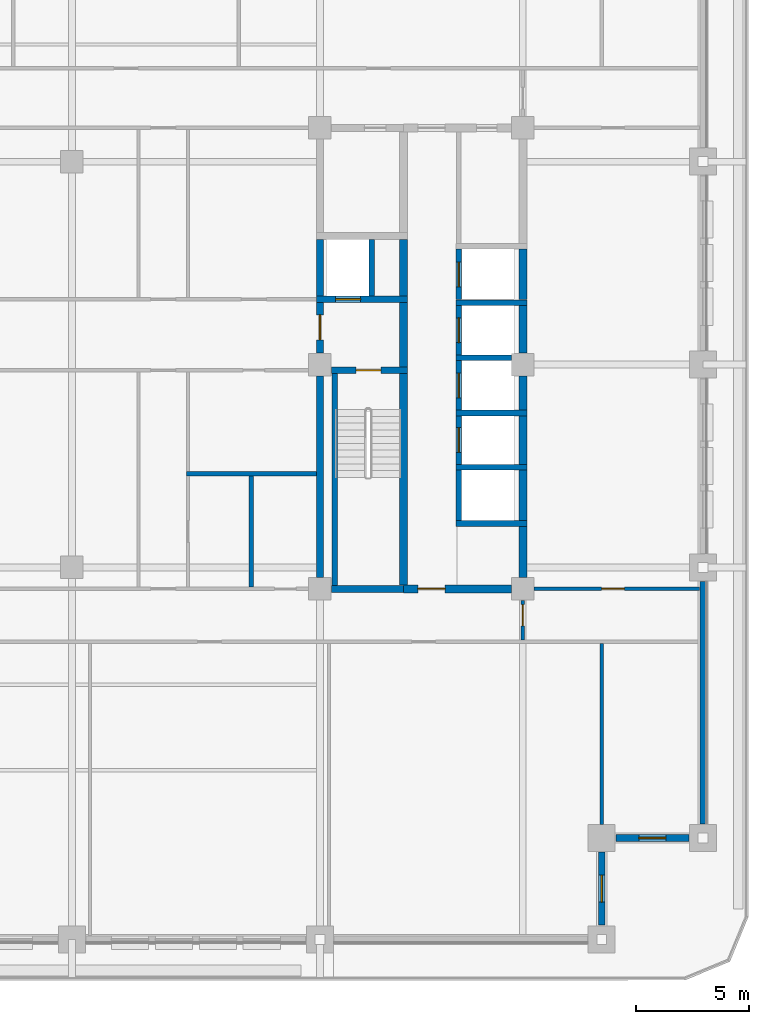
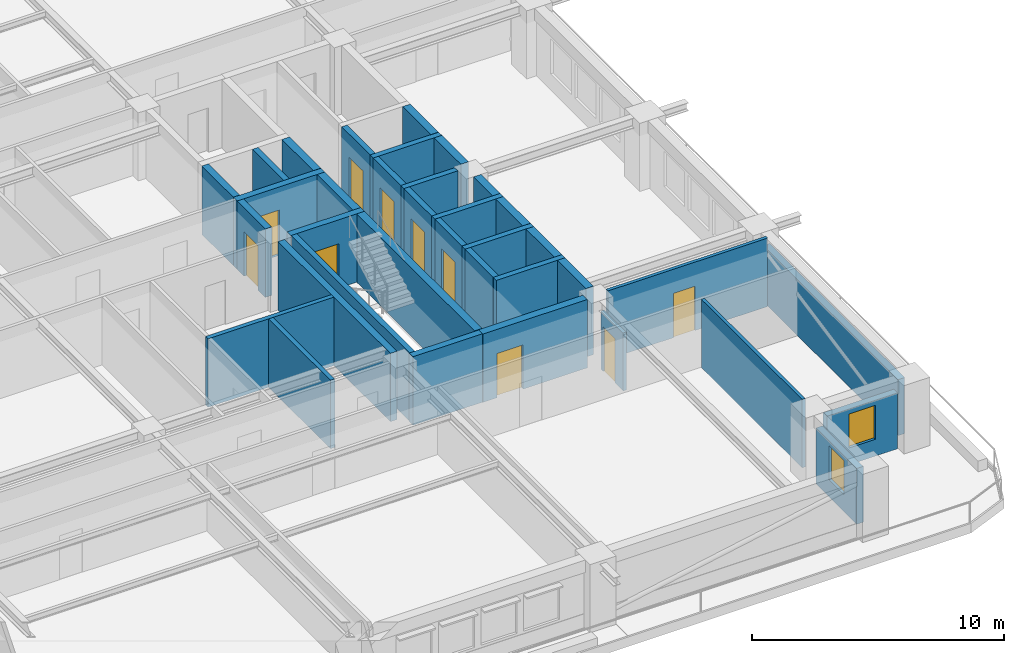
# One storey, part 4 of 13: 36 walls, 10 doors, 2 windows, 12 openings.
"""IFC4 building model written with IfcOpenShell, lengths in metres."""

from ifc_helpers import new_model, si_unit, direction, frame, frame_2d, origin, place, context, subcontext, project, spatial, rectangle, extrude, material, layer, layer_set, type_object, element, fill, save


model = new_model("IFC4")

# Units and contexts
model_context = context("Model", 3, precision=1e-05, world=origin(), true_north=direction((0.0, 1.0)))
body_context = subcontext(model_context, "Body", "Model", "MODEL_VIEW")
ifc_project = project(units=[si_unit("LENGTHUNIT", "METRE"), si_unit("AREAUNIT", "SQUARE_METRE"), si_unit("VOLUMEUNIT", "CUBIC_METRE"), si_unit("PLANEANGLEUNIT", "RADIAN"), si_unit("MASSUNIT", "GRAM", prefix="KILO")], contexts=[model_context])

# Site, building, storey
site_placement = place(None, origin())
site = spatial("IfcSite", under=ifc_project, at=site_placement, CompositionType="ELEMENT")
building_placement = place(site_placement, origin())
building = spatial("IfcBuilding", under=site, at=building_placement, Name="Zulmaris Gate Convention Tower", CompositionType="ELEMENT")
storey_placement = place(building_placement, frame((0.0, 0.0, 105.639892578125)))
storey = spatial("IfcBuildingStorey", under=building, at=storey_placement, Name="L26", CompositionType="ELEMENT", Elevation=105.639892578125)

# Walls
ifc_material_1 = material(Name="Concrete C50/60", Category="concrete")
ifc_layer_1 = layer(ifc_material_1, 0.25, Name="Concrete C50/60")
ifc_layer_set_1 = layer_set([ifc_layer_1], Name="Concrete C50/60")
wall_type_1 = type_object("IfcWallType", Name="CORE-250", PredefinedType="SOLIDWALL", material=ifc_layer_set_1)
for number, where, z_axis, x_axis, name in (
    (1, (17.02490234375, -7.050048828125, 0.0), (0.0, 0.0, 1.0), (1.0, 0.0, 0.0), "WL-L26-005"),
    (2, (17.02490234375, -4.550048828125, 0.0), (0.0, 0.0, 1.0), (1.0, 0.0, 0.0), "WL-L26-006"),
    (3, (17.02490234375, -2.14990234375, 0.0), (0.0, 0.0, 1.0), (1.0, 0.0, 0.0), "WL-L26-007"),
):
    element("IfcWall", number, at=place(storey_placement, frame(where, z_axis=z_axis, x_axis=x_axis)), inside=storey, type_object=wall_type_1, Name=name, PredefinedType="SOLIDWALL", context=body_context, shape_type="SweptSolid", body=[
        extrude(rectangle(XDim=3.150146484375, YDim=0.25, at=frame_2d((1.5751953125, 0.0))), origin(), (0.0, 0.0, 1.0), 3.320068359375),
    ])
wall_1_placement = place(storey_placement, frame((17.02490234375, 0.300048828125, 0.0), z_axis=(0.0, 0.0, 1.0), x_axis=(1.0, 0.0, 0.0)))
element("IfcWall", 4, at=wall_1_placement, inside=storey, type_object=wall_type_1, Name="WL-L26-010", PredefinedType="SOLIDWALL", context=body_context, shape_type="SweptSolid", body=[
    extrude(rectangle(XDim=2.47119140625, YDim=0.25, at=frame_2d((1.235595703125, 0.0))), origin(), (0.0, 0.0, 1.0), 3.320068359375),
])
wall_2_placement = place(storey_placement, frame((17.02490234375, 2.75, 0.0), z_axis=(0.0, 0.0, 1.0), x_axis=(1.0, 0.0, 0.0)))
element("IfcWall", 5, at=wall_2_placement, inside=storey, type_object=wall_type_1, Name="WL-L26-011", PredefinedType="SOLIDWALL", context=body_context, shape_type="SweptSolid", body=[
    extrude(rectangle(XDim=3.150146484375, YDim=0.25, at=frame_2d((1.5751953125, 0.0))), origin(), (0.0, 0.0, 1.0), 3.320068359375),
])
wall_3_placement = place(storey_placement, frame((11.64990234375, -9.798095703125, 0.0), z_axis=(0.0, 0.0, 1.0), x_axis=(0.0, 1.0, 0.0)))
element("IfcWall", 6, at=wall_3_placement, inside=storey, type_object=wall_type_1, Name="WL-L26-050", PredefinedType="SOLIDWALL", context=body_context, shape_type="SweptSolid", body=[
    extrude(rectangle(XDim=9.39599609375, YDim=0.25, at=frame_2d((4.697998046875, 0.0))), origin(), (0.0, 0.0, 1.0), 3.320068359375),
])
wall_4_placement = place(storey_placement, frame((13.300048828125, 3.052001953125, 0.0), z_axis=(0.0, 0.0, 1.0), x_axis=(0.0, 1.0, 0.0)))
element("IfcWall", 7, at=wall_4_placement, inside=storey, type_object=wall_type_1, Name="WL-L26-051", PredefinedType="SOLIDWALL", context=body_context, shape_type="SweptSolid", body=[
    extrude(rectangle(XDim=2.49609375, YDim=0.25, at=frame_2d((1.248046875, 0.0))), origin(), (0.0, 0.0, 1.0), 3.320068359375),
])
wall_5_placement = place(storey_placement, frame((17.14990234375, -6.923095703125, 0.0), z_axis=(0.0, 0.0, 1.0), x_axis=(0.0, 1.0, 0.0)))
element("IfcWall", 8, at=wall_5_placement, inside=storey, type_object=wall_type_1, Name="WL-L26-056", PredefinedType="SOLIDWALL", context=body_context, shape_type="SweptSolid", body=[
    extrude(rectangle(XDim=2.24609375, YDim=0.25, at=frame_2d((1.123046875, 0.0))), origin(), (0.0, 0.0, 1.0), 3.320068359375),
])

# Wall, opening, door
wall_6_placement = place(storey_placement, frame((17.14990234375, -4.423095703125, 0.0), z_axis=(0.0, 0.0, 1.0), x_axis=(0.0, 1.0, 0.0)))
wall_6 = element("IfcWall", 9, at=wall_6_placement, inside=storey, type_object=wall_type_1, Name="WL-L26-057", PredefinedType="SOLIDWALL", context=body_context, shape_type="SweptSolid", body=[
    extrude(rectangle(XDim=2.14599609375, YDim=0.25, at=frame_2d((1.072998046875, 0.0))), origin(), (0.0, 0.0, 1.0), 3.320068359375),
])
opening_1_placement = place(wall_6_placement, frame((0.52294921875, 0.0, 0.0)))
opening_1 = element("IfcOpeningElement", 10, at=opening_1_placement, cuts=wall_6, Name="Opening D-06", PredefinedType="OPENING", context=body_context, shape_type="SweptSolid", body=[
    extrude(rectangle(XDim=1.10009765625, YDim=2.199951171875, at=frame_2d((0.550048828125, 1.10009765625))), frame((0.0, 0.135009765625, 0.0), z_axis=(0.0, -1.0, 0.0), x_axis=(1.0, 0.0, 0.0)), (0.0, 0.0, 1.0), 0.27001953125),
])
ifc_material_2 = material(Name="Brushed Stainless Steel", Category="steel")
door_type_1 = type_object("IfcDoorType", Name="LD-1100", OperationType="NOTDEFINED", PredefinedType="DOOR", material=ifc_material_2)
door_1_placement = place(opening_1_placement, origin())
door_1 = element("IfcDoor", 11, at=door_1_placement, inside=storey, type_object=door_type_1, Name="L26 Lift Landing Door MP-01 11", OperationType="SLIDING_TO_RIGHT", OverallHeight=2.199951171875, OverallWidth=1.10009765625, PredefinedType="DOOR", context=body_context, shape_type="SweptSolid", body=[
    extrude(rectangle(XDim=1.10009765625, YDim=2.199951171875, at=frame_2d((0.550048828125, 1.10009765625))), frame((0.0, 0.02490234375, 0.0), z_axis=(0.0, -1.0, 0.0), x_axis=(1.0, 0.0, 0.0)), (0.0, 0.0, 1.0), 0.050048828125),
])
fill(opening_1, door_1)

wall_7_placement = place(storey_placement, frame((17.14990234375, -2.02294921875, 0.0), z_axis=(0.0, 0.0, 1.0), x_axis=(0.0, 1.0, 0.0)))
wall_7 = element("IfcWall", 12, at=wall_7_placement, inside=storey, type_object=wall_type_1, Name="WL-L26-058", PredefinedType="SOLIDWALL", context=body_context, shape_type="SweptSolid", body=[
    extrude(rectangle(XDim=2.196044921875, YDim=0.25, at=frame_2d((1.09814453125, 0.0))), origin(), (0.0, 0.0, 1.0), 3.320068359375),
])
opening_2_placement = place(wall_7_placement, frame((0.548095703125, 0.0, 0.0)))
opening_2 = element("IfcOpeningElement", 13, at=opening_2_placement, cuts=wall_7, Name="Opening D-06", PredefinedType="OPENING", context=body_context, shape_type="SweptSolid", body=[
    extrude(rectangle(XDim=1.10009765625, YDim=2.199951171875, at=frame_2d((0.550048828125, 1.10009765625))), frame((0.0, 0.135009765625, 0.0), z_axis=(0.0, -1.0, 0.0), x_axis=(1.0, 0.0, 0.0)), (0.0, 0.0, 1.0), 0.27001953125),
])
door_2_placement = place(opening_2_placement, origin())
door_2 = element("IfcDoor", 14, at=door_2_placement, inside=storey, type_object=door_type_1, Name="L26 Lift Landing Door MP-02 12", OperationType="SLIDING_TO_RIGHT", OverallHeight=2.199951171875, OverallWidth=1.10009765625, PredefinedType="DOOR", context=body_context, shape_type="SweptSolid", body=[
    extrude(rectangle(XDim=1.10009765625, YDim=2.199951171875, at=frame_2d((0.550048828125, 1.10009765625))), frame((0.0, 0.02490234375, 0.0), z_axis=(0.0, -1.0, 0.0), x_axis=(1.0, 0.0, 0.0)), (0.0, 0.0, 1.0), 0.050048828125),
])
fill(opening_2, door_2)

wall_8_placement = place(storey_placement, frame((17.14990234375, 0.427001953125, 0.0), z_axis=(0.0, 0.0, 1.0), x_axis=(0.0, 1.0, 0.0)))
wall_8 = element("IfcWall", 15, at=wall_8_placement, inside=storey, type_object=wall_type_1, Name="WL-L26-059", PredefinedType="SOLIDWALL", context=body_context, shape_type="SweptSolid", body=[
    extrude(rectangle(XDim=2.196044921875, YDim=0.25, at=frame_2d((1.09814453125, 0.0))), origin(), (0.0, 0.0, 1.0), 3.320068359375),
])
opening_3_placement = place(wall_8_placement, frame((0.548095703125, 0.0, 0.0)))
opening_3 = element("IfcOpeningElement", 16, at=opening_3_placement, cuts=wall_8, Name="Opening D-06", PredefinedType="OPENING", context=body_context, shape_type="SweptSolid", body=[
    extrude(rectangle(XDim=1.10009765625, YDim=2.199951171875, at=frame_2d((0.550048828125, 1.10009765625))), frame((0.0, 0.135009765625, 0.0), z_axis=(0.0, -1.0, 0.0), x_axis=(1.0, 0.0, 0.0)), (0.0, 0.0, 1.0), 0.27001953125),
])
door_3_placement = place(opening_3_placement, origin())
door_3 = element("IfcDoor", 17, at=door_3_placement, inside=storey, type_object=door_type_1, Name="L26 Lift Landing Door MP-03 13", OperationType="SLIDING_TO_RIGHT", OverallHeight=2.199951171875, OverallWidth=1.10009765625, PredefinedType="DOOR", context=body_context, shape_type="SweptSolid", body=[
    extrude(rectangle(XDim=1.10009765625, YDim=2.199951171875, at=frame_2d((0.550048828125, 1.10009765625))), frame((0.0, 0.02490234375, 0.0), z_axis=(0.0, -1.0, 0.0), x_axis=(1.0, 0.0, 0.0)), (0.0, 0.0, 1.0), 0.050048828125),
])
fill(opening_3, door_3)

wall_9_placement = place(storey_placement, frame((17.14990234375, 2.876953125, 0.0), z_axis=(0.0, 0.0, 1.0), x_axis=(0.0, 1.0, 0.0)))
wall_9 = element("IfcWall", 18, at=wall_9_placement, inside=storey, type_object=wall_type_1, Name="WL-L26-060", PredefinedType="SOLIDWALL", context=body_context, shape_type="SweptSolid", body=[
    extrude(rectangle(XDim=2.24609375, YDim=0.25, at=frame_2d((1.123046875, 0.0))), origin(), (0.0, 0.0, 1.0), 3.320068359375),
])
opening_4_placement = place(wall_9_placement, frame((0.572998046875, 0.0, 0.0)))
opening_4 = element("IfcOpeningElement", 19, at=opening_4_placement, cuts=wall_9, Name="Opening D-06", PredefinedType="OPENING", context=body_context, shape_type="SweptSolid", body=[
    extrude(rectangle(XDim=1.10009765625, YDim=2.199951171875, at=frame_2d((0.550048828125, 1.10009765625))), frame((0.0, 0.135009765625, 0.0), z_axis=(0.0, -1.0, 0.0), x_axis=(1.0, 0.0, 0.0)), (0.0, 0.0, 1.0), 0.27001953125),
])
door_4_placement = place(opening_4_placement, origin())
door_4 = element("IfcDoor", 20, at=door_4_placement, inside=storey, type_object=door_type_1, Name="L26 Lift Landing Door MP-04 14", OperationType="SLIDING_TO_RIGHT", OverallHeight=2.199951171875, OverallWidth=1.10009765625, PredefinedType="DOOR", context=body_context, shape_type="SweptSolid", body=[
    extrude(rectangle(XDim=1.10009765625, YDim=2.199951171875, at=frame_2d((0.550048828125, 1.10009765625))), frame((0.0, 0.02490234375, 0.0), z_axis=(0.0, -1.0, 0.0), x_axis=(1.0, 0.0, 0.0)), (0.0, 0.0, 1.0), 0.050048828125),
])
fill(opening_4, door_4)

# Wall
ifc_layer_2 = layer(ifc_material_1, 0.300048828125, Name="Concrete C50/60")
ifc_layer_set_2 = layer_set([ifc_layer_2], Name="Concrete C50/60")
wall_type_2 = type_object("IfcWallType", Name="CORE-300", PredefinedType="SHEAR", material=ifc_layer_set_2)
wall_10_placement = place(storey_placement, frame((11.50390625, -9.949951171875, 0.0), z_axis=(0.0, 0.0, 1.0), x_axis=(1.0, 0.0, 0.0)))
element("IfcWall", 21, at=wall_10_placement, inside=storey, type_object=wall_type_2, Name="WL-L26-003", PredefinedType="SHEAR", context=body_context, shape_type="SweptSolid", body=[
    extrude(rectangle(XDim=3.196044921875, YDim=0.300048828125, at=frame_2d((1.59814453125, 0.0))), origin(), (0.0, 0.0, 1.0), 3.320068359375),
])

# Wall, opening, door
wall_11_placement = place(storey_placement, frame((11.50390625, -0.25, 0.0), z_axis=(0.0, 0.0, 1.0), x_axis=(1.0, 0.0, 0.0)))
wall_11 = element("IfcWall", 22, at=wall_11_placement, inside=storey, type_object=wall_type_2, Name="WL-L26-009", PredefinedType="SHEAR", context=body_context, shape_type="SweptSolid", body=[
    extrude(rectangle(XDim=3.37109375, YDim=0.300048828125, at=frame_2d((1.685546875, 0.0))), origin(), (0.0, 0.0, 1.0), 3.320068359375),
])
opening_5_placement = place(wall_11_placement, frame((1.095947265625, 0.0, 0.0)))
opening_5 = element("IfcOpeningElement", 23, at=opening_5_placement, cuts=wall_11, Name="Opening D-08", PredefinedType="OPENING", context=body_context, shape_type="SweptSolid", body=[
    extrude(rectangle(XDim=1.10009765625, YDim=2.14990234375, at=frame_2d((0.550048828125, 1.074951171875))), frame((0.0, 0.16015625, 0.0), z_axis=(0.0, -1.0, 0.0), x_axis=(1.0, 0.0, 0.0)), (0.0, 0.0, 1.0), 0.320068359375),
])
ifc_material_3 = material(Name="Fire-Rated Steel", Category="steel")
door_type_2 = type_object("IfcDoorType", Name="DR-1100-FD", OperationType="NOTDEFINED", PredefinedType="DOOR", material=ifc_material_3)
door_5_placement = place(opening_5_placement, origin())
door_5 = element("IfcDoor", 24, at=door_5_placement, inside=storey, type_object=door_type_2, Name="L26 Exit Stair ST-2 Door 04", OperationType="SINGLE_SWING_RIGHT", OverallHeight=2.14990234375, OverallWidth=1.10009765625, PredefinedType="DOOR", context=body_context, shape_type="SweptSolid", body=[
    extrude(rectangle(XDim=1.10009765625, YDim=2.14990234375, at=frame_2d((0.550048828125, 1.074951171875))), frame((0.0, 0.02490234375, 0.0), z_axis=(0.0, -1.0, 0.0), x_axis=(1.0, 0.0, 0.0)), (0.0, 0.0, 1.0), 0.050048828125),
])
fill(opening_5, door_5)

wall_12_placement = place(storey_placement, frame((10.85009765625, 2.89990234375, 0.0), z_axis=(0.0, 0.0, 1.0), x_axis=(1.0, 0.0, 0.0)))
wall_12 = element("IfcWall", 25, at=wall_12_placement, inside=storey, type_object=wall_type_2, Name="WL-L26-013", PredefinedType="SHEAR", context=body_context, shape_type="SweptSolid", body=[
    extrude(rectangle(XDim=4.02490234375, YDim=0.300048828125, at=frame_2d((2.012451171875, 0.0))), origin(), (0.0, 0.0, 1.0), 3.320068359375),
])
opening_6_placement = place(wall_12_placement, frame((0.85009765625, 0.0, 0.0)))
opening_6 = element("IfcOpeningElement", 26, at=opening_6_placement, cuts=wall_12, Name="Opening D-06", PredefinedType="OPENING", context=body_context, shape_type="SweptSolid", body=[
    extrude(rectangle(XDim=1.10009765625, YDim=2.199951171875, at=frame_2d((0.550048828125, 1.10009765625))), frame((0.0, 0.16015625, 0.0), z_axis=(0.0, -1.0, 0.0), x_axis=(1.0, 0.0, 0.0)), (0.0, 0.0, 1.0), 0.320068359375),
])
door_6_placement = place(opening_6_placement, origin())
door_6 = element("IfcDoor", 27, at=door_6_placement, inside=storey, type_object=door_type_1, Name="L26 Lift Landing Door LF-02 06", OperationType="SLIDING_TO_RIGHT", OverallHeight=2.199951171875, OverallWidth=1.10009765625, PredefinedType="DOOR", context=body_context, shape_type="SweptSolid", body=[
    extrude(rectangle(XDim=1.10009765625, YDim=2.199951171875, at=frame_2d((0.550048828125, 1.10009765625))), frame((0.0, 0.02490234375, 0.0), z_axis=(0.0, -1.0, 0.0), x_axis=(1.0, 0.0, 0.0)), (0.0, 0.0, 1.0), 0.050048828125),
])
fill(opening_6, door_6)

# Wall
wall_13_placement = place(storey_placement, frame((11.0, -9.446044921875, 0.0), z_axis=(0.0, 0.0, 1.0), x_axis=(0.0, 1.0, 0.0)))
element("IfcWall", 28, at=wall_13_placement, inside=storey, type_object=wall_type_2, Name="WL-L26-046", PredefinedType="SHEAR", context=body_context, shape_type="SweptSolid", body=[
    extrude(rectangle(XDim=8.942138671875, YDim=0.300048828125, at=frame_2d((4.47119140625, 0.0))), origin(), (0.0, 0.0, 1.0), 3.320068359375),
])

# Wall, opening, door
wall_14_placement = place(storey_placement, frame((11.0, 0.50390625, 0.0), z_axis=(0.0, 0.0, 1.0), x_axis=(0.0, 1.0, 0.0)))
wall_14 = element("IfcWall", 29, at=wall_14_placement, inside=storey, type_object=wall_type_2, Name="WL-L26-047", PredefinedType="SHEAR", context=body_context, shape_type="SweptSolid", body=[
    extrude(rectangle(XDim=2.244140625, YDim=0.300048828125, at=frame_2d((1.1220703125, 0.0))), origin(), (0.0, 0.0, 1.0), 3.320068359375),
])
opening_7_placement = place(wall_14_placement, frame((0.595947265625, 0.0, 0.0)))
opening_7 = element("IfcOpeningElement", 30, at=opening_7_placement, cuts=wall_14, Name="Opening D-08", PredefinedType="OPENING", context=body_context, shape_type="SweptSolid", body=[
    extrude(rectangle(XDim=1.10009765625, YDim=2.14990234375, at=frame_2d((0.550048828125, 1.074951171875))), frame((0.0, 0.16015625, 0.0), z_axis=(0.0, -1.0, 0.0), x_axis=(1.0, 0.0, 0.0)), (0.0, 0.0, 1.0), 0.320068359375),
])
door_7_placement = place(opening_7_placement, origin())
door_7 = element("IfcDoor", 31, at=door_7_placement, inside=storey, type_object=door_type_2, Name="L26 East Firefighting Lobby Door 05", OperationType="SINGLE_SWING_LEFT", OverallHeight=2.14990234375, OverallWidth=1.10009765625, PredefinedType="DOOR", context=body_context, shape_type="SweptSolid", body=[
    extrude(rectangle(XDim=1.10009765625, YDim=2.14990234375, at=frame_2d((0.550048828125, 1.074951171875))), frame((0.0, 0.02490234375, 0.0), z_axis=(0.0, -1.0, 0.0), x_axis=(1.0, 0.0, 0.0)), (0.0, 0.0, 1.0), 0.050048828125),
])
fill(opening_7, door_7)

# Wall
wall_15_placement = place(storey_placement, frame((11.0, 3.052001953125, 0.0), z_axis=(0.0, 0.0, 1.0), x_axis=(0.0, 1.0, 0.0)))
element("IfcWall", 32, at=wall_15_placement, inside=storey, type_object=wall_type_2, Name="WL-L26-048", PredefinedType="SHEAR", context=body_context, shape_type="SweptSolid", body=[
    extrude(rectangle(XDim=2.49609375, YDim=0.300048828125, at=frame_2d((1.248046875, 0.0))), origin(), (0.0, 0.0, 1.0), 3.320068359375),
])

# Wall, opening, door
ifc_material_4 = material(Name="Concrete C55/67", Category="concrete")
ifc_layer_3 = layer(ifc_material_4, 0.35009765625, Name="Concrete C55/67")
ifc_layer_set_3 = layer_set([ifc_layer_3], Name="Concrete C55/67")
wall_type_3 = type_object("IfcWallType", Name="CORE-350", PredefinedType="SHEAR", material=ifc_layer_set_3)
wall_16_placement = place(storey_placement, frame((14.699951171875, -9.949951171875, 0.0), z_axis=(0.0, 0.0, 1.0), x_axis=(1.0, 0.0, 0.0)))
wall_16 = element("IfcWall", 33, at=wall_16_placement, inside=storey, type_object=wall_type_3, Name="WL-L26-004", PredefinedType="SHEAR", context=body_context, shape_type="SweptSolid", body=[
    extrude(rectangle(XDim=4.796142578125, YDim=0.35009765625, at=frame_2d((2.39794921875, 0.0))), origin(), (0.0, 0.0, 1.0), 3.320068359375),
])
opening_8_placement = place(wall_16_placement, frame((0.64990234375, 0.0, 0.0)))
opening_8 = element("IfcOpeningElement", 34, at=opening_8_placement, cuts=wall_16, Name="Opening D-13", PredefinedType="OPENING", context=body_context, shape_type="SweptSolid", body=[
    extrude(rectangle(XDim=1.199951171875, YDim=2.14990234375, at=frame_2d((0.60009765625, 1.074951171875))), frame((0.0, 0.18505859375, 0.0), z_axis=(0.0, -1.0, 0.0), x_axis=(1.0, 0.0, 0.0)), (0.0, 0.0, 1.0), 0.3701171875),
])
door_type_3 = type_object("IfcDoorType", Name="DR-1200-FD", OperationType="NOTDEFINED", PredefinedType="DOOR", material=ifc_material_3)
door_8_placement = place(opening_8_placement, origin())
door_8 = element("IfcDoor", 35, at=door_8_placement, inside=storey, type_object=door_type_3, Name="L26 East Lift Lobby South Door 15", OperationType="SINGLE_SWING_RIGHT", OverallHeight=2.14990234375, OverallWidth=1.199951171875, PredefinedType="DOOR", context=body_context, shape_type="SweptSolid", body=[
    extrude(rectangle(XDim=1.199951171875, YDim=2.14990234375, at=frame_2d((0.60009765625, 1.074951171875))), frame((0.0, 0.02490234375, 0.0), z_axis=(0.0, -1.0, 0.0), x_axis=(1.0, 0.0, 0.0)), (0.0, 0.0, 1.0), 0.050048828125),
])
fill(opening_8, door_8)

# Walls
wall_17_placement = place(storey_placement, frame((14.699951171875, -9.77294921875, 0.0), z_axis=(0.0, 0.0, 1.0), x_axis=(0.0, 1.0, 0.0)))
element("IfcWall", 36, at=wall_17_placement, inside=storey, type_object=wall_type_3, Name="WL-L26-052", PredefinedType="SHEAR", context=body_context, shape_type="SweptSolid", body=[
    extrude(rectangle(XDim=9.370849609375, YDim=0.35009765625, at=frame_2d((4.685546875, 0.0))), origin(), (0.0, 0.0, 1.0), 3.320068359375),
])
wall_18_placement = place(storey_placement, frame((14.699951171875, -0.097900390625, 0.0), z_axis=(0.0, 0.0, 1.0), x_axis=(0.0, 1.0, 0.0)))
element("IfcWall", 37, at=wall_18_placement, inside=storey, type_object=wall_type_3, Name="WL-L26-053", PredefinedType="SHEAR", context=body_context, shape_type="SweptSolid", body=[
    extrude(rectangle(XDim=2.845947265625, YDim=0.35009765625, at=frame_2d((1.4228515625, 0.0))), origin(), (0.0, 0.0, 1.0), 3.320068359375),
])
wall_19_placement = place(storey_placement, frame((14.699951171875, 3.052001953125, 0.0), z_axis=(0.0, 0.0, 1.0), x_axis=(0.0, 1.0, 0.0)))
element("IfcWall", 38, at=wall_19_placement, inside=storey, type_object=wall_type_3, Name="WL-L26-054", PredefinedType="SHEAR", context=body_context, shape_type="SweptSolid", body=[
    extrude(rectangle(XDim=2.49609375, YDim=0.35009765625, at=frame_2d((1.248046875, 0.0))), origin(), (0.0, 0.0, 1.0), 3.320068359375),
])
wall_20_placement = place(storey_placement, frame((20.0, -9.446044921875, 0.0), z_axis=(0.0, 0.0, 1.0), x_axis=(0.0, 1.0, 0.0)))
element("IfcWall", 39, at=wall_20_placement, inside=storey, type_object=wall_type_3, Name="WL-L26-061", PredefinedType="SHEAR", context=body_context, shape_type="SweptSolid", body=[
    extrude(rectangle(XDim=2.26904296875, YDim=0.35009765625, at=frame_2d((1.134521484375, 0.0))), origin(), (0.0, 0.0, 1.0), 3.320068359375),
])
wall_21_placement = place(storey_placement, frame((20.0, -6.923095703125, 0.0), z_axis=(0.0, 0.0, 1.0), x_axis=(0.0, 1.0, 0.0)))
element("IfcWall", 40, at=wall_21_placement, inside=storey, type_object=wall_type_3, Name="WL-L26-062", PredefinedType="SHEAR", context=body_context, shape_type="SweptSolid", body=[
    extrude(rectangle(XDim=2.24609375, YDim=0.35009765625, at=frame_2d((1.123046875, 0.0))), origin(), (0.0, 0.0, 1.0), 3.320068359375),
])
wall_22_placement = place(storey_placement, frame((20.0, -4.423095703125, 0.0), z_axis=(0.0, 0.0, 1.0), x_axis=(0.0, 1.0, 0.0)))
element("IfcWall", 41, at=wall_22_placement, inside=storey, type_object=wall_type_3, Name="WL-L26-063", PredefinedType="SHEAR", context=body_context, shape_type="SweptSolid", body=[
    extrude(rectangle(XDim=2.14599609375, YDim=0.35009765625, at=frame_2d((1.072998046875, 0.0))), origin(), (0.0, 0.0, 1.0), 3.320068359375),
])
wall_23_placement = place(storey_placement, frame((20.0, -2.02294921875, 0.0), z_axis=(0.0, 0.0, 1.0), x_axis=(0.0, 1.0, 0.0)))
element("IfcWall", 42, at=wall_23_placement, inside=storey, type_object=wall_type_3, Name="WL-L26-064", PredefinedType="SHEAR", context=body_context, shape_type="SweptSolid", body=[
    extrude(rectangle(XDim=1.51904296875, YDim=0.35009765625, at=frame_2d((0.759521484375, 0.0))), origin(), (0.0, 0.0, 1.0), 3.320068359375),
])
wall_24_placement = place(storey_placement, frame((20.0, 0.50390625, 0.0), z_axis=(0.0, 0.0, 1.0), x_axis=(0.0, 1.0, 0.0)))
element("IfcWall", 43, at=wall_24_placement, inside=storey, type_object=wall_type_3, Name="WL-L26-065", PredefinedType="SHEAR", context=body_context, shape_type="SweptSolid", body=[
    extrude(rectangle(XDim=2.119140625, YDim=0.35009765625, at=frame_2d((1.0595703125, 0.0))), origin(), (0.0, 0.0, 1.0), 3.320068359375),
])
wall_25_placement = place(storey_placement, frame((20.0, 2.876953125, 0.0), z_axis=(0.0, 0.0, 1.0), x_axis=(0.0, 1.0, 0.0)))
element("IfcWall", 44, at=wall_25_placement, inside=storey, type_object=wall_type_3, Name="WL-L26-066", PredefinedType="SHEAR", context=body_context, shape_type="SweptSolid", body=[
    extrude(rectangle(XDim=2.24609375, YDim=0.35009765625, at=frame_2d((1.123046875, 0.0))), origin(), (0.0, 0.0, 1.0), 3.320068359375),
])

# Wall, opening, door
ifc_material_5 = material(Name="Gypsum Metal Stud Partition")
ifc_layer_4 = layer(ifc_material_5, 0.14990234375, Name="Gypsum Metal Stud Partition")
ifc_layer_set_4 = layer_set([ifc_layer_4], Name="Gypsum Metal Stud Partition")
wall_type_4 = type_object("IfcWallType", Name="PART-150", PredefinedType="PARTITIONING", material=ifc_layer_set_4)
wall_26_placement = place(storey_placement, frame((20.506103515625, -9.949951171875, 0.0), z_axis=(0.0, 0.0, 1.0), x_axis=(1.0, 0.0, 0.0)))
wall_26 = element("IfcWall", 45, at=wall_26_placement, inside=storey, type_object=wall_type_4, Name="WL-L26-024", PredefinedType="PARTITIONING", context=body_context, shape_type="SweptSolid", body=[
    extrude(rectangle(XDim=7.328857421875, YDim=0.14990234375, at=frame_2d((3.66455078125, 0.0))), origin(), (0.0, 0.0, 1.0), 3.320068359375),
])
opening_9_placement = place(wall_26_placement, frame((2.993896484375, 0.0, 0.0)))
opening_9 = element("IfcOpeningElement", 46, at=opening_9_placement, cuts=wall_26, Name="Opening D-10", PredefinedType="OPENING", context=body_context, shape_type="SweptSolid", body=[
    extrude(rectangle(XDim=1.0, YDim=2.14990234375, at=frame_2d((0.5, 1.074951171875))), frame((0.0, 0.0849609375, 0.0), z_axis=(0.0, -1.0, 0.0), x_axis=(1.0, 0.0, 0.0)), (0.0, 0.0, 1.0), 0.169921875),
])
ifc_material_6 = material(Name="Fire-Rated Timber", Category="wood")
door_type_4 = type_object("IfcDoorType", Name="DR-1000-FD", OperationType="NOTDEFINED", PredefinedType="DOOR", material=ifc_material_6)
door_9_placement = place(opening_9_placement, origin())
door_9 = element("IfcDoor", 47, at=door_9_placement, inside=storey, type_object=door_type_4, Name="L26 East Workplace South Door 43", OperationType="SINGLE_SWING_RIGHT", OverallHeight=2.14990234375, OverallWidth=1.0, PredefinedType="DOOR", context=body_context, shape_type="SweptSolid", body=[
    extrude(rectangle(XDim=1.0, YDim=2.14990234375, at=frame_2d((0.5, 1.074951171875))), frame((0.0, 0.02490234375, 0.0), z_axis=(0.0, -1.0, 0.0), x_axis=(1.0, 0.0, 0.0)), (0.0, 0.0, 1.0), 0.050048828125),
])
fill(opening_9, door_9)

wall_27_placement = place(storey_placement, frame((20.0, -12.221923828125, 0.0), z_axis=(0.0, 0.0, 1.0), x_axis=(0.0, 1.0, 0.0)))
wall_27 = element("IfcWall", 48, at=wall_27_placement, inside=storey, type_object=wall_type_4, Name="WL-L26-085", PredefinedType="PARTITIONING", context=body_context, shape_type="SweptSolid", body=[
    extrude(rectangle(XDim=1.765869140625, YDim=0.14990234375, at=frame_2d((0.8828125, 0.0))), origin(), (0.0, 0.0, 1.0), 2.81005859375),
])
opening_10_placement = place(wall_27_placement, frame((0.626953125, 0.0, 0.0)))
opening_10 = element("IfcOpeningElement", 49, at=opening_10_placement, cuts=wall_27, Name="Opening D-11", PredefinedType="OPENING", context=body_context, shape_type="SweptSolid", body=[
    extrude(rectangle(XDim=0.949951171875, YDim=2.14990234375, at=frame_2d((0.47509765625, 1.074951171875))), frame((0.0, 0.0849609375, 0.0), z_axis=(0.0, -1.0, 0.0), x_axis=(1.0, 0.0, 0.0)), (0.0, 0.0, 1.0), 0.169921875),
])
door_type_5 = type_object("IfcDoorType", Name="DR-950-FD", OperationType="NOTDEFINED", PredefinedType="DOOR", material=ifc_material_6)
door_10_placement = place(opening_10_placement, origin())
door_10 = element("IfcDoor", 50, at=door_10_placement, inside=storey, type_object=door_type_5, Name="L26 SE Spur Door 41", OperationType="SINGLE_SWING_RIGHT", OverallHeight=2.14990234375, OverallWidth=0.949951171875, PredefinedType="DOOR", context=body_context, shape_type="SweptSolid", body=[
    extrude(rectangle(XDim=0.949951171875, YDim=2.14990234375, at=frame_2d((0.47509765625, 1.074951171875))), frame((0.0, 0.02490234375, 0.0), z_axis=(0.0, -1.0, 0.0), x_axis=(1.0, 0.0, 0.0)), (0.0, 0.0, 1.0), 0.050048828125),
])
fill(opening_10, door_10)

# Walls
wall_28_placement = place(storey_placement, frame((23.5, -20.39404296875, 0.0), z_axis=(0.0, 0.0, 1.0), x_axis=(0.0, 1.0, 0.0)))
element("IfcWall", 51, at=wall_28_placement, inside=storey, type_object=wall_type_4, Name="WL-L26-087", PredefinedType="PARTITIONING", context=body_context, shape_type="SweptSolid", body=[
    extrude(rectangle(XDim=8.01611328125, YDim=0.14990234375, at=frame_2d((4.008056640625, 0.0))), origin(), (0.0, 0.0, 1.0), 3.320068359375),
])
ifc_material_7 = material(Name="Autoclaved Aerated Concrete Block and Plasterboard", Category="concrete")
ifc_layer_5 = layer(ifc_material_7, 0.199951171875, Name="Autoclaved Aerated Concrete Block and Plasterboard")
ifc_layer_set_5 = layer_set([ifc_layer_5], Name="Autoclaved Aerated Concrete Block and Plasterboard")
wall_type_5 = type_object("IfcWallType", Name="PART-200", PredefinedType="PARTITIONING", material=ifc_layer_set_5)
wall_29_placement = place(storey_placement, frame((5.074951171875, -4.85009765625, 0.0), z_axis=(0.0, 0.0, 1.0), x_axis=(1.0, 0.0, 0.0)))
element("IfcWall", 52, at=wall_29_placement, inside=storey, type_object=wall_type_5, Name="WL-L26-025", PredefinedType="PARTITIONING", context=body_context, shape_type="SweptSolid", body=[
    extrude(rectangle(XDim=5.77197265625, YDim=0.199951171875, at=frame_2d((2.885986328125, 0.0))), origin(), (0.0, 0.0, 1.0), 3.320068359375),
])
wall_30_placement = place(storey_placement, frame((7.949951171875, -9.8720703125, 0.0), z_axis=(0.0, 0.0, 1.0), x_axis=(0.0, 1.0, 0.0)))
element("IfcWall", 53, at=wall_30_placement, inside=storey, type_object=wall_type_5, Name="WL-L26-082", PredefinedType="PARTITIONING", context=body_context, shape_type="SweptSolid", body=[
    extrude(rectangle(XDim=4.919189453125, YDim=0.199951171875, at=frame_2d((2.45947265625, 0.0))), origin(), (0.0, 0.0, 1.0), 3.320068359375),
])

# Wall, opening, window
ifc_material_8 = material(Name="Precast concrete C40/50", Category="concrete")
ifc_layer_6 = layer(ifc_material_8, 0.300048828125, Name="Precast concrete C40/50")
ifc_layer_set_6 = layer_set([ifc_layer_6], Name="Precast concrete C40/50")
wall_type_6 = type_object("IfcWallType", Name="PRECAST-PIER-300", PredefinedType="STANDARD", material=ifc_layer_set_6)
wall_31_placement = place(storey_placement, frame((23.5, -24.8701171875, 0.0), z_axis=(0.0, 0.0, 1.0), x_axis=(0.0, 1.0, 0.0)))
wall_31 = element("IfcWall", 54, at=wall_31_placement, inside=storey, type_object=wall_type_6, Name="EW-L26-NOTCH-SE1_0", PredefinedType="STANDARD", context=body_context, shape_type="SweptSolid", body=[
    extrude(rectangle(XDim=3.240234375, YDim=0.300048828125, at=frame_2d((1.6201171875, 0.0))), origin(), (0.0, 0.0, 1.0), 2.712158203125),
])
opening_11_placement = place(wall_31_placement, frame((1.02001953125, 0.0, 0.820068359375)))
opening_11 = element("IfcOpeningElement", 55, at=opening_11_placement, cuts=wall_31, Name="Opening W-04", PredefinedType="OPENING", context=body_context, shape_type="SweptSolid", body=[
    extrude(rectangle(XDim=1.199951171875, YDim=1.64990234375, at=frame_2d((0.60009765625, 0.824951171875))), frame((0.0, 0.16015625, 0.0), z_axis=(0.0, -1.0, 0.0), x_axis=(1.0, 0.0, 0.0)), (0.0, 0.0, 1.0), 0.320068359375),
])
ifc_material_9 = material(Name="Low-E Laminated Double Glazing in Aluminium Frame", Category="aluminium")
window_type = type_object("IfcWindowType", Name="WIN-1200x2100", PartitioningType="SINGLE_PANEL", PredefinedType="WINDOW", material=ifc_material_9)
window_1_placement = place(opening_11_placement, origin())
window_1 = element("IfcWindow", 56, at=window_1_placement, inside=storey, type_object=window_type, Name="WN-EW-L26-NOTCH-SE1_0", OverallHeight=1.64990234375, OverallWidth=1.199951171875, PartitioningType="SINGLE_PANEL", PredefinedType="WINDOW", context=body_context, shape_type="SweptSolid", body=[
    extrude(rectangle(XDim=1.199951171875, YDim=1.64990234375, at=frame_2d((0.60009765625, 0.824951171875))), frame((0.0, 0.030029296875, 0.0), z_axis=(0.0, -1.0, 0.0), x_axis=(1.0, 0.0, 0.0)), (0.0, 0.0, 1.0), 0.06005859375),
])
fill(opening_11, window_1)

wall_32_placement = place(storey_placement, frame((24.1298828125, -21.0, 0.0), z_axis=(0.0, 0.0, 1.0), x_axis=(1.0, 0.0, 0.0)))
wall_32 = element("IfcWall", 57, at=wall_32_placement, inside=storey, type_object=wall_type_6, Name="EW-L26-NOTCH-SE2_0", PredefinedType="STANDARD", context=body_context, shape_type="SweptSolid", body=[
    extrude(rectangle(XDim=3.240234375, YDim=0.300048828125, at=frame_2d((1.6201171875, 0.0))), origin(), (0.0, 0.0, 1.0), 2.712158203125),
])
opening_12_placement = place(wall_32_placement, frame((1.02001953125, 0.0, 0.820068359375)))
opening_12 = element("IfcOpeningElement", 58, at=opening_12_placement, cuts=wall_32, Name="Opening W-04", PredefinedType="OPENING", context=body_context, shape_type="SweptSolid", body=[
    extrude(rectangle(XDim=1.199951171875, YDim=1.64990234375, at=frame_2d((0.60009765625, 0.824951171875))), frame((0.0, 0.16015625, 0.0), z_axis=(0.0, -1.0, 0.0), x_axis=(1.0, 0.0, 0.0)), (0.0, 0.0, 1.0), 0.320068359375),
])
window_2_placement = place(opening_12_placement, origin())
window_2 = element("IfcWindow", 59, at=window_2_placement, inside=storey, type_object=window_type, Name="WN-EW-L26-NOTCH-SE2_0", OverallHeight=1.64990234375, OverallWidth=1.199951171875, PartitioningType="SINGLE_PANEL", PredefinedType="WINDOW", context=body_context, shape_type="SweptSolid", body=[
    extrude(rectangle(XDim=1.199951171875, YDim=1.64990234375, at=frame_2d((0.60009765625, 0.824951171875))), frame((0.0, 0.030029296875, 0.0), z_axis=(0.0, -1.0, 0.0), x_axis=(1.0, 0.0, 0.0)), (0.0, 0.0, 1.0), 0.06005859375),
])
fill(opening_12, window_2)

# Wall
wall_33_placement = place(storey_placement, frame((28.0, -20.3701171875, 0.0), z_axis=(0.0, 0.0, 1.0), x_axis=(0.0, 1.0, 0.0)))
element("IfcWall", 60, at=wall_33_placement, inside=storey, type_object=wall_type_6, Name="EW-L26-E-0_0", PredefinedType="STANDARD", context=body_context, shape_type="SweptSolid", body=[
    extrude(rectangle(XDim=10.740234375, YDim=0.300048828125, at=frame_2d((5.3701171875, 0.0))), origin(), (0.0, 0.0, 1.0), 2.712158203125),
])

save(model, "model.ifc")
